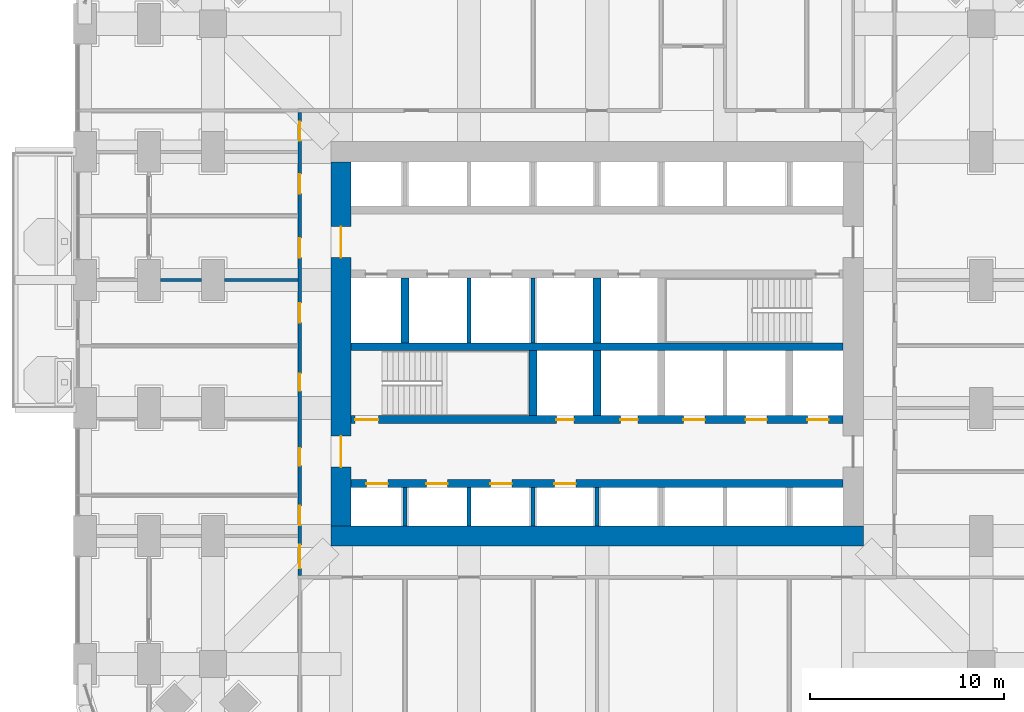
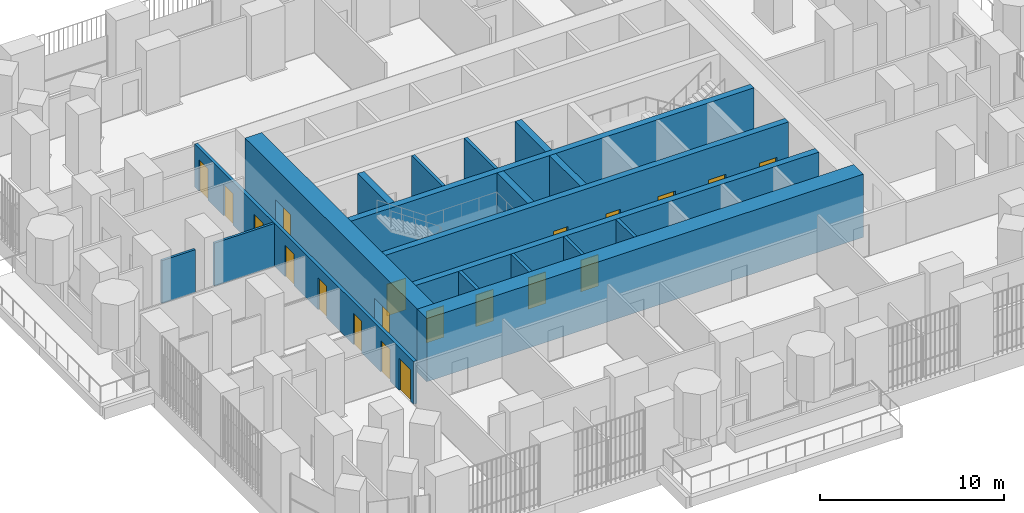
# One storey, part 18 of 26: 20 doors, 18 walls, 20 openings.
"""IFC4 building model written with IfcOpenShell, lengths in metres."""

from ifc_helpers import new_model, si_unit, direction, frame, frame_2d, origin, place, context, subcontext, project, spatial, rectangle, extrude, material, layer, layer_set, type_object, element, fill, save


model = new_model("IFC4")

# Units and contexts
model_context = context("Model", 3, precision=1e-05, world=origin(), true_north=direction((0.0, 1.0)))
body_context = subcontext(model_context, "Body", "Model", "MODEL_VIEW")
ifc_project = project(units=[si_unit("LENGTHUNIT", "METRE"), si_unit("AREAUNIT", "SQUARE_METRE"), si_unit("VOLUMEUNIT", "CUBIC_METRE"), si_unit("PLANEANGLEUNIT", "RADIAN"), si_unit("MASSUNIT", "GRAM", prefix="KILO")], contexts=[model_context])

# Site, building, storey
site_placement = place(None, origin())
site = spatial("IfcSite", under=ifc_project, at=site_placement, CompositionType="ELEMENT")
building_placement = place(site_placement, origin())
building = spatial("IfcBuilding", under=site, at=building_placement, Name="Cobogo Forest Laboratory Tower", CompositionType="ELEMENT")
storey_placement = place(building_placement, frame((0.0, 0.0, 33.89990234375)))
storey = spatial("IfcBuildingStorey", under=building, at=storey_placement, Name="L07", CompositionType="ELEMENT", Elevation=33.89990234375)

# Wall, openings, doors
ifc_material_1 = material(Name="Concrete HA-50 (C50/60)", Category="concrete")
ifc_layer_1 = layer(ifc_material_1, 0.39990234375)
ifc_layer_set_1 = layer_set([ifc_layer_1], Name="CI400 core inner wall 400")
wall_type_1 = type_object("IfcWallType", Name="CI400 core inner wall 400", PredefinedType="SHEAR", material=ifc_layer_set_1)
wall_1_placement = place(storey_placement, frame((13.72509765625, 15.89990234375, 0.0), z_axis=(0.0, 0.0, 1.0), x_axis=(1.0, 0.0, 0.0)))
wall_1 = element("IfcWall", 1, at=wall_1_placement, inside=storey, type_object=wall_type_1, Name="Core wall CI-15.9 L07", PredefinedType="SHEAR", context=body_context, shape_type="SweptSolid", body=[
    extrude(rectangle(XDim=25.349853515625, YDim=0.39990234375, at=frame_2d((12.6748046875, 0.0))), origin(), (0.0, 0.0, 1.0), 4.2001953125),
])
opening_1_placement = place(wall_1_placement, frame((0.78759765625, 0.0, 0.0)))
opening_1 = element("IfcOpeningElement", 2, at=opening_1_placement, cuts=wall_1, Name="Opening L07-LD-LA1", PredefinedType="OPENING", context=body_context, shape_type="SweptSolid", body=[
    extrude(rectangle(XDim=1.10009765625, YDim=2.10009765625, at=frame_2d((0.550048828125, 1.050048828125))), frame((0.0, 0.2099609375, 0.0), z_axis=(0.0, -1.0, 0.0), x_axis=(1.0, 0.0, 0.0)), (0.0, 0.0, 1.0), 0.419921875),
])
opening_2_placement = place(wall_1_placement, frame((3.875, 0.0, 0.0)))
opening_2 = element("IfcOpeningElement", 3, at=opening_2_placement, cuts=wall_1, Name="Opening L07-LD-LA2", PredefinedType="OPENING", context=body_context, shape_type="SweptSolid", body=[
    extrude(rectangle(XDim=1.10009765625, YDim=2.10009765625, at=frame_2d((0.550048828125, 1.050048828125))), frame((0.0, 0.2099609375, 0.0), z_axis=(0.0, -1.0, 0.0), x_axis=(1.0, 0.0, 0.0)), (0.0, 0.0, 1.0), 0.419921875),
])
opening_3_placement = place(wall_1_placement, frame((7.175048828125, 0.0, 0.0)))
opening_3 = element("IfcOpeningElement", 4, at=opening_3_placement, cuts=wall_1, Name="Opening L07-LD-LA3", PredefinedType="OPENING", context=body_context, shape_type="SweptSolid", body=[
    extrude(rectangle(XDim=1.10009765625, YDim=2.10009765625, at=frame_2d((0.550048828125, 1.050048828125))), frame((0.0, 0.2099609375, 0.0), z_axis=(0.0, -1.0, 0.0), x_axis=(1.0, 0.0, 0.0)), (0.0, 0.0, 1.0), 0.419921875),
])
opening_4_placement = place(wall_1_placement, frame((10.47509765625, 0.0, 0.0)))
opening_4 = element("IfcOpeningElement", 5, at=opening_4_placement, cuts=wall_1, Name="Opening L07-LD-LA4", PredefinedType="OPENING", context=body_context, shape_type="SweptSolid", body=[
    extrude(rectangle(XDim=1.10009765625, YDim=2.10009765625, at=frame_2d((0.550048828125, 1.050048828125))), frame((0.0, 0.2099609375, 0.0), z_axis=(0.0, -1.0, 0.0), x_axis=(1.0, 0.0, 0.0)), (0.0, 0.0, 1.0), 0.419921875),
])
ifc_material_2 = material(Name="Stainless steel lift door", Category="steel")
door_type_1 = type_object("IfcDoorType", Name="LD lift landing door 1100", OperationType="DOUBLE_DOOR_SLIDING", PredefinedType="DOOR", material=ifc_material_2)
door_1_placement = place(opening_1_placement, origin())
door_1 = element("IfcDoor", 6, at=door_1_placement, inside=storey, type_object=door_type_1, Name="Lift landing door LA1 L07", OperationType="DOUBLE_DOOR_SLIDING", OverallHeight=2.10009765625, OverallWidth=1.10009765625, PredefinedType="DOOR", context=body_context, shape_type="SweptSolid", body=[
    extrude(rectangle(XDim=1.10009765625, YDim=2.10009765625, at=frame_2d((0.550048828125, 1.050048828125))), frame((0.0, 0.02490234375, 0.0), z_axis=(0.0, -1.0, 0.0), x_axis=(1.0, 0.0, 0.0)), (0.0, 0.0, 1.0), 0.050048828125),
])
fill(opening_1, door_1)
door_2_placement = place(opening_2_placement, origin())
door_2 = element("IfcDoor", 7, at=door_2_placement, inside=storey, type_object=door_type_1, Name="Lift landing door LA2 L07", OperationType="DOUBLE_DOOR_SLIDING", OverallHeight=2.10009765625, OverallWidth=1.10009765625, PredefinedType="DOOR", context=body_context, shape_type="SweptSolid", body=[
    extrude(rectangle(XDim=1.10009765625, YDim=2.10009765625, at=frame_2d((0.550048828125, 1.050048828125))), frame((0.0, 0.02490234375, 0.0), z_axis=(0.0, -1.0, 0.0), x_axis=(1.0, 0.0, 0.0)), (0.0, 0.0, 1.0), 0.050048828125),
])
fill(opening_2, door_2)
door_3_placement = place(opening_3_placement, origin())
door_3 = element("IfcDoor", 8, at=door_3_placement, inside=storey, type_object=door_type_1, Name="Lift landing door LA3 L07", OperationType="DOUBLE_DOOR_SLIDING", OverallHeight=2.10009765625, OverallWidth=1.10009765625, PredefinedType="DOOR", context=body_context, shape_type="SweptSolid", body=[
    extrude(rectangle(XDim=1.10009765625, YDim=2.10009765625, at=frame_2d((0.550048828125, 1.050048828125))), frame((0.0, 0.02490234375, 0.0), z_axis=(0.0, -1.0, 0.0), x_axis=(1.0, 0.0, 0.0)), (0.0, 0.0, 1.0), 0.050048828125),
])
fill(opening_3, door_3)
door_4_placement = place(opening_4_placement, origin())
door_4 = element("IfcDoor", 9, at=door_4_placement, inside=storey, type_object=door_type_1, Name="Lift landing door LA4 L07", OperationType="DOUBLE_DOOR_SLIDING", OverallHeight=2.10009765625, OverallWidth=1.10009765625, PredefinedType="DOOR", context=body_context, shape_type="SweptSolid", body=[
    extrude(rectangle(XDim=1.10009765625, YDim=2.10009765625, at=frame_2d((0.550048828125, 1.050048828125))), frame((0.0, 0.02490234375, 0.0), z_axis=(0.0, -1.0, 0.0), x_axis=(1.0, 0.0, 0.0)), (0.0, 0.0, 1.0), 0.050048828125),
])
fill(opening_4, door_4)

wall_2_placement = place(storey_placement, frame((13.72509765625, 19.199951171875, 0.0), z_axis=(0.0, 0.0, 1.0), x_axis=(1.0, 0.0, 0.0)))
wall_2 = element("IfcWall", 10, at=wall_2_placement, inside=storey, type_object=wall_type_1, Name="Core wall CI-19.2 L07", PredefinedType="SHEAR", context=body_context, shape_type="SweptSolid", body=[
    extrude(rectangle(XDim=25.349853515625, YDim=0.39990234375, at=frame_2d((12.6748046875, 0.0))), origin(), (0.0, 0.0, 1.0), 4.2001953125),
])
opening_5_placement = place(wall_2_placement, frame((10.574951171875, 0.0, 0.0)))
opening_5 = element("IfcOpeningElement", 11, at=opening_5_placement, cuts=wall_2, Name="Opening L07-D23", PredefinedType="OPENING", context=body_context, shape_type="SweptSolid", body=[
    extrude(rectangle(XDim=0.89990234375, YDim=2.10009765625, at=frame_2d((0.449951171875, 1.050048828125))), frame((0.0, 0.2099609375, 0.0), z_axis=(0.0, -1.0, 0.0), x_axis=(1.0, 0.0, 0.0)), (0.0, 0.0, 1.0), 0.419921875),
])
opening_6_placement = place(wall_2_placement, frame((13.875, 0.0, 0.0)))
opening_6 = element("IfcOpeningElement", 12, at=opening_6_placement, cuts=wall_2, Name="Opening L07-D24", PredefinedType="OPENING", context=body_context, shape_type="SweptSolid", body=[
    extrude(rectangle(XDim=0.89990234375, YDim=2.10009765625, at=frame_2d((0.449951171875, 1.050048828125))), frame((0.0, 0.2099609375, 0.0), z_axis=(0.0, -1.0, 0.0), x_axis=(1.0, 0.0, 0.0)), (0.0, 0.0, 1.0), 0.419921875),
])
opening_7_placement = place(wall_2_placement, frame((0.199951171875, 0.0, 0.0)))
opening_7 = element("IfcOpeningElement", 13, at=opening_7_placement, cuts=wall_2, Name="Opening L07-D22", PredefinedType="OPENING", context=body_context, shape_type="SweptSolid", body=[
    extrude(rectangle(XDim=1.199951171875, YDim=2.10009765625, at=frame_2d((0.60009765625, 1.050048828125))), frame((0.0, 0.2099609375, 0.0), z_axis=(0.0, -1.0, 0.0), x_axis=(1.0, 0.0, 0.0)), (0.0, 0.0, 1.0), 0.419921875),
])
opening_8_placement = place(wall_2_placement, frame((23.512451171875, 0.0, 0.0)))
opening_8 = element("IfcOpeningElement", 14, at=opening_8_placement, cuts=wall_2, Name="Opening L07-LD-FL2", PredefinedType="OPENING", context=body_context, shape_type="SweptSolid", body=[
    extrude(rectangle(XDim=1.10009765625, YDim=2.10009765625, at=frame_2d((0.550048828125, 1.050048828125))), frame((0.0, 0.2099609375, 0.0), z_axis=(0.0, -1.0, 0.0), x_axis=(1.0, 0.0, 0.0)), (0.0, 0.0, 1.0), 0.419921875),
])
opening_9_placement = place(wall_2_placement, frame((17.125, 0.0, 0.0)))
opening_9 = element("IfcOpeningElement", 15, at=opening_9_placement, cuts=wall_2, Name="Opening L07-LD-LS1", PredefinedType="OPENING", context=body_context, shape_type="SweptSolid", body=[
    extrude(rectangle(XDim=1.10009765625, YDim=2.10009765625, at=frame_2d((0.550048828125, 1.050048828125))), frame((0.0, 0.2099609375, 0.0), z_axis=(0.0, -1.0, 0.0), x_axis=(1.0, 0.0, 0.0)), (0.0, 0.0, 1.0), 0.419921875),
])
opening_10_placement = place(wall_2_placement, frame((20.324951171875, 0.0, 0.0)))
opening_10 = element("IfcOpeningElement", 16, at=opening_10_placement, cuts=wall_2, Name="Opening L07-LD-LS2", PredefinedType="OPENING", context=body_context, shape_type="SweptSolid", body=[
    extrude(rectangle(XDim=1.10009765625, YDim=2.10009765625, at=frame_2d((0.550048828125, 1.050048828125))), frame((0.0, 0.2099609375, 0.0), z_axis=(0.0, -1.0, 0.0), x_axis=(1.0, 0.0, 0.0)), (0.0, 0.0, 1.0), 0.419921875),
])
ifc_material_3 = material(Name="Steel fire door", Category="steel")
door_type_2 = type_object("IfcDoorType", Name="DS1 protected stair door 1200 EI2 60", OperationType="SINGLE_SWING_LEFT", PredefinedType="DOOR", material=ifc_material_3)
door_5_placement = place(opening_7_placement, origin())
door_5 = element("IfcDoor", 17, at=door_5_placement, inside=storey, type_object=door_type_2, Name="Door L07-ST1", OperationType="SINGLE_SWING_LEFT", OverallHeight=2.10009765625, OverallWidth=1.199951171875, PredefinedType="DOOR", context=body_context, shape_type="SweptSolid", body=[
    extrude(rectangle(XDim=1.199951171875, YDim=2.10009765625, at=frame_2d((0.60009765625, 1.050048828125))), frame((0.0, 0.02490234375, 0.0), z_axis=(0.0, -1.0, 0.0), x_axis=(1.0, 0.0, 0.0)), (0.0, 0.0, 1.0), 0.050048828125),
])
fill(opening_7, door_5)
door_type_3 = type_object("IfcDoorType", Name="FD4 riser access door 900 EI2 60", OperationType="SINGLE_SWING_LEFT", PredefinedType="DOOR", material=ifc_material_3)
door_6_placement = place(opening_5_placement, origin())
door_6 = element("IfcDoor", 18, at=door_6_placement, inside=storey, type_object=door_type_3, Name="Door L07-R1", OperationType="SINGLE_SWING_LEFT", OverallHeight=2.10009765625, OverallWidth=0.89990234375, PredefinedType="DOOR", context=body_context, shape_type="SweptSolid", body=[
    extrude(rectangle(XDim=0.89990234375, YDim=2.10009765625, at=frame_2d((0.449951171875, 1.050048828125))), frame((0.0, 0.02490234375, 0.0), z_axis=(0.0, -1.0, 0.0), x_axis=(1.0, 0.0, 0.0)), (0.0, 0.0, 1.0), 0.050048828125),
])
fill(opening_5, door_6)
door_7_placement = place(opening_6_placement, origin())
door_7 = element("IfcDoor", 19, at=door_7_placement, inside=storey, type_object=door_type_3, Name="Door L07-R2", OperationType="SINGLE_SWING_RIGHT", OverallHeight=2.10009765625, OverallWidth=0.89990234375, PredefinedType="DOOR", context=body_context, shape_type="SweptSolid", body=[
    extrude(rectangle(XDim=0.89990234375, YDim=2.10009765625, at=frame_2d((0.449951171875, 1.050048828125))), frame((0.0, 0.02490234375, 0.0), z_axis=(0.0, -1.0, 0.0), x_axis=(1.0, 0.0, 0.0)), (0.0, 0.0, 1.0), 0.050048828125),
])
fill(opening_6, door_7)
door_8_placement = place(opening_8_placement, origin())
door_8 = element("IfcDoor", 20, at=door_8_placement, inside=storey, type_object=door_type_1, Name="Lift landing door FL2 L07", OperationType="DOUBLE_DOOR_SLIDING", OverallHeight=2.10009765625, OverallWidth=1.10009765625, PredefinedType="DOOR", context=body_context, shape_type="SweptSolid", body=[
    extrude(rectangle(XDim=1.10009765625, YDim=2.10009765625, at=frame_2d((0.550048828125, 1.050048828125))), frame((0.0, 0.02490234375, 0.0), z_axis=(0.0, -1.0, 0.0), x_axis=(1.0, 0.0, 0.0)), (0.0, 0.0, 1.0), 0.050048828125),
])
fill(opening_8, door_8)
door_9_placement = place(opening_9_placement, origin())
door_9 = element("IfcDoor", 21, at=door_9_placement, inside=storey, type_object=door_type_1, Name="Lift landing door LS1 L07", OperationType="DOUBLE_DOOR_SLIDING", OverallHeight=2.10009765625, OverallWidth=1.10009765625, PredefinedType="DOOR", context=body_context, shape_type="SweptSolid", body=[
    extrude(rectangle(XDim=1.10009765625, YDim=2.10009765625, at=frame_2d((0.550048828125, 1.050048828125))), frame((0.0, 0.02490234375, 0.0), z_axis=(0.0, -1.0, 0.0), x_axis=(1.0, 0.0, 0.0)), (0.0, 0.0, 1.0), 0.050048828125),
])
fill(opening_9, door_9)
door_10_placement = place(opening_10_placement, origin())
door_10 = element("IfcDoor", 22, at=door_10_placement, inside=storey, type_object=door_type_1, Name="Lift landing door LS2 L07", OperationType="DOUBLE_DOOR_SLIDING", OverallHeight=2.10009765625, OverallWidth=1.10009765625, PredefinedType="DOOR", context=body_context, shape_type="SweptSolid", body=[
    extrude(rectangle(XDim=1.10009765625, YDim=2.10009765625, at=frame_2d((0.550048828125, 1.050048828125))), frame((0.0, 0.02490234375, 0.0), z_axis=(0.0, -1.0, 0.0), x_axis=(1.0, 0.0, 0.0)), (0.0, 0.0, 1.0), 0.050048828125),
])
fill(opening_10, door_10)

# Walls
wall_3_placement = place(storey_placement, frame((13.72509765625, 22.949951171875, 0.0), z_axis=(0.0, 0.0, 1.0), x_axis=(1.0, 0.0, 0.0)))
element("IfcWall", 23, at=wall_3_placement, inside=storey, type_object=wall_type_1, Name="Core wall CI-22.95 L07", PredefinedType="SHEAR", context=body_context, shape_type="SweptSolid", body=[
    extrude(rectangle(XDim=25.349853515625, YDim=0.39990234375, at=frame_2d((12.6748046875, 0.0))), origin(), (0.0, 0.0, 1.0), 4.2001953125),
])
for number, where, z_axis, x_axis, name in (
    (24, (23.10009765625, 19.39990234375, 0.0), (0.0, 0.0, 1.0), (0.0, 1.0, 0.0), "Core wall CX-23.1 L07"),
    (25, (26.39990234375, 19.39990234375, 0.0), (0.0, 0.0, 1.0), (0.0, 1.0, 0.0), "Core wall CX-26.4S L07"),
    (26, (16.5, 23.14990234375, 0.0), (0.0, 0.0, 1.0), (0.0, 1.0, 0.0), "Core wall CX-16.5 L07"),
    (27, (26.39990234375, 23.14990234375, 0.0), (0.0, 0.0, 1.0), (0.0, 1.0, 0.0), "Core wall CX-26.4N L07"),
):
    element("IfcWall", number, at=place(storey_placement, frame(where, z_axis=z_axis, x_axis=x_axis)), inside=storey, type_object=wall_type_1, Name=name, PredefinedType="SHEAR", context=body_context, shape_type="SweptSolid", body=[
        extrude(rectangle(XDim=3.35009765625, YDim=0.39990234375, at=frame_2d((1.675048828125, 0.0))), origin(), (0.0, 0.0, 1.0), 4.2001953125),
    ])
ifc_layer_2 = layer(ifc_material_1, 1.050048828125)
ifc_layer_set_2 = layer_set([ifc_layer_2], Name="CW1050 core outer wall 1050")
wall_type_2 = type_object("IfcWallType", Name="CW1050 core outer wall 1050", PredefinedType="SHEAR", material=ifc_layer_set_2)
wall_4_placement = place(storey_placement, frame((12.675048828125, 13.199951171875, 0.0), z_axis=(0.0, 0.0, 1.0), x_axis=(1.0, 0.0, 0.0)))
element("IfcWall", 28, at=wall_4_placement, inside=storey, type_object=wall_type_2, Name="Core wall CO-S L07", PredefinedType="SHEAR", context=body_context, shape_type="SweptSolid", body=[
    extrude(rectangle(XDim=27.449951171875, YDim=1.050048828125, at=frame_2d((13.72509765625, 0.0))), origin(), (0.0, 0.0, 1.0), 4.2001953125),
])

# Wall, openings, doors
wall_5_placement = place(storey_placement, frame((13.199951171875, 32.47509765625, 0.0), z_axis=(0.0, 0.0, 1.0), x_axis=(0.0, -1.0, 0.0)))
wall_5 = element("IfcWall", 29, at=wall_5_placement, inside=storey, type_object=wall_type_2, Name="Core wall CO-W L07", PredefinedType="SHEAR", context=body_context, shape_type="SweptSolid", body=[
    extrude(rectangle(XDim=18.75, YDim=1.050048828125, at=frame_2d((9.375, 0.0))), origin(), (0.0, 0.0, 1.0), 4.2001953125),
])
opening_11_placement = place(wall_5_placement, frame((14.125, 0.0, 0.0)))
opening_11 = element("IfcOpeningElement", 30, at=opening_11_placement, cuts=wall_5, Name="Opening L07-D18", PredefinedType="OPENING", context=body_context, shape_type="SweptSolid", body=[
    extrude(rectangle(XDim=1.60009765625, YDim=2.10009765625, at=frame_2d((0.800048828125, 1.050048828125))), frame((0.0, 0.534912109375, 0.0), z_axis=(0.0, -1.0, 0.0), x_axis=(1.0, 0.0, 0.0)), (0.0, 0.0, 1.0), 1.070068359375),
])
opening_12_placement = place(wall_5_placement, frame((3.324951171875, 0.0, 0.0)))
opening_12 = element("IfcOpeningElement", 31, at=opening_12_placement, cuts=wall_5, Name="Opening L07-D34", PredefinedType="OPENING", context=body_context, shape_type="SweptSolid", body=[
    extrude(rectangle(XDim=1.60009765625, YDim=2.10009765625, at=frame_2d((0.800048828125, 1.050048828125))), frame((0.0, 0.534912109375, 0.0), z_axis=(0.0, -1.0, 0.0), x_axis=(1.0, 0.0, 0.0)), (0.0, 0.0, 1.0), 1.070068359375),
])
door_type_4 = type_object("IfcDoorType", Name="DS2 protected lobby door pair 1600 EI2 60", OperationType="DOUBLE_DOOR_DOUBLE_SWING", PredefinedType="DOOR", material=ifc_material_3)
door_11_placement = place(opening_11_placement, origin())
door_11 = element("IfcDoor", 32, at=door_11_placement, inside=storey, type_object=door_type_4, Name="Door L07-CO-W-S", OperationType="DOUBLE_DOOR_DOUBLE_SWING", OverallHeight=2.10009765625, OverallWidth=1.60009765625, PredefinedType="DOOR", context=body_context, shape_type="SweptSolid", body=[
    extrude(rectangle(XDim=1.60009765625, YDim=2.10009765625, at=frame_2d((0.800048828125, 1.050048828125))), frame((0.0, 0.02490234375, 0.0), z_axis=(0.0, -1.0, 0.0), x_axis=(1.0, 0.0, 0.0)), (0.0, 0.0, 1.0), 0.050048828125),
])
fill(opening_11, door_11)
door_12_placement = place(opening_12_placement, origin())
door_12 = element("IfcDoor", 33, at=door_12_placement, inside=storey, type_object=door_type_4, Name="Door L07-CO-W-N", OperationType="DOUBLE_DOOR_DOUBLE_SWING", OverallHeight=2.10009765625, OverallWidth=1.60009765625, PredefinedType="DOOR", context=body_context, shape_type="SweptSolid", body=[
    extrude(rectangle(XDim=1.60009765625, YDim=2.10009765625, at=frame_2d((0.800048828125, 1.050048828125))), frame((0.0, 0.02490234375, 0.0), z_axis=(0.0, -1.0, 0.0), x_axis=(1.0, 0.0, 0.0)), (0.0, 0.0, 1.0), 0.050048828125),
])
fill(opening_12, door_12)

# Walls
ifc_material_4 = material(Name="Gypsum board on steel studs", Category="steel")
ifc_layer_3 = layer(ifc_material_4, 0.14990234375)
ifc_layer_set_3 = layer_set([ifc_layer_3], Name="PT1 laboratory partition 150")
wall_type_3 = type_object("IfcWallType", Name="PT1 laboratory partition 150", PredefinedType="PARTITIONING", material=ifc_layer_set_3)
wall_6_placement = place(storey_placement, frame((3.89990234375, 26.39990234375, 0.0), z_axis=(0.0, 0.0, 1.0), x_axis=(1.0, 0.0, 0.0)))
element("IfcWall", 34, at=wall_6_placement, inside=storey, type_object=wall_type_3, Name="Partition CUT-W26.4-2 L07", PredefinedType="PARTITIONING", context=body_context, shape_type="SweptSolid", body=[
    extrude(rectangle(XDim=2.10009765625, YDim=0.14990234375, at=frame_2d((1.050048828125, 0.0))), origin(), (0.0, 0.0, 1.0), 2.85009765625),
])
wall_7_placement = place(storey_placement, frame((7.199951171875, 26.39990234375, 0.0), z_axis=(0.0, 0.0, 1.0), x_axis=(1.0, 0.0, 0.0)))
element("IfcWall", 35, at=wall_7_placement, inside=storey, type_object=wall_type_3, Name="Partition CUT-W26.4-3 L07", PredefinedType="PARTITIONING", context=body_context, shape_type="SweptSolid", body=[
    extrude(rectangle(XDim=3.775146484375, YDim=0.14990234375, at=frame_2d((1.8876953125, 0.0))), origin(), (0.0, 0.0, 1.0), 2.85009765625),
])

# Wall, openings, doors
ifc_layer_4 = layer(ifc_material_4, 0.199951171875)
ifc_layer_set_4 = layer_set([ifc_layer_4], Name="PT2 fire-rated corridor partition 200")
wall_type_4 = type_object("IfcWallType", Name="PT2 fire-rated corridor partition 200", PredefinedType="PARTITIONING", material=ifc_layer_set_4)
wall_8_placement = place(storey_placement, frame((11.074951171875, 11.175048828125, 0.0), z_axis=(0.0, 0.0, 1.0), x_axis=(0.0, 1.0, 0.0)))
wall_8 = element("IfcWall", 36, at=wall_8_placement, inside=storey, type_object=wall_type_4, Name="Partition CORR-W L07", PredefinedType="PARTITIONING", context=body_context, shape_type="SweptSolid", body=[
    extrude(rectangle(XDim=23.849853515625, YDim=0.199951171875, at=frame_2d((11.9248046875, 0.0))), origin(), (0.0, 0.0, 1.0), 2.85009765625),
])
opening_13_placement = place(wall_8_placement, frame((0.362548828125, 0.0, 0.0)))
opening_13 = element("IfcOpeningElement", 37, at=opening_13_placement, cuts=wall_8, Name="Opening L07-D13", PredefinedType="OPENING", context=body_context, shape_type="SweptSolid", body=[
    extrude(rectangle(XDim=1.199951171875, YDim=2.10009765625, at=frame_2d((0.60009765625, 1.050048828125))), frame((0.0, 0.10986328125, 0.0), z_axis=(0.0, -1.0, 0.0), x_axis=(1.0, 0.0, 0.0)), (0.0, 0.0, 1.0), 0.219970703125),
])
opening_14_placement = place(wall_8_placement, frame((2.574951171875, 0.0, 0.0)))
opening_14 = element("IfcOpeningElement", 38, at=opening_14_placement, cuts=wall_8, Name="Opening L07-D15", PredefinedType="OPENING", context=body_context, shape_type="SweptSolid", body=[
    extrude(rectangle(XDim=1.0, YDim=2.10009765625, at=frame_2d((0.5, 1.050048828125))), frame((0.0, 0.10986328125, 0.0), z_axis=(0.0, -1.0, 0.0), x_axis=(1.0, 0.0, 0.0)), (0.0, 0.0, 1.0), 0.219970703125),
])
opening_15_placement = place(wall_8_placement, frame((5.64990234375, 0.0, 0.0)))
opening_15 = element("IfcOpeningElement", 39, at=opening_15_placement, cuts=wall_8, Name="Opening L07-D17", PredefinedType="OPENING", context=body_context, shape_type="SweptSolid", body=[
    extrude(rectangle(XDim=0.89990234375, YDim=2.10009765625, at=frame_2d((0.449951171875, 1.050048828125))), frame((0.0, 0.10986328125, 0.0), z_axis=(0.0, -1.0, 0.0), x_axis=(1.0, 0.0, 0.0)), (0.0, 0.0, 1.0), 0.219970703125),
])
opening_16_placement = place(wall_8_placement, frame((9.5, 0.0, 0.0)))
opening_16 = element("IfcOpeningElement", 40, at=opening_16_placement, cuts=wall_8, Name="Opening L07-D25", PredefinedType="OPENING", context=body_context, shape_type="SweptSolid", body=[
    extrude(rectangle(XDim=0.89990234375, YDim=2.10009765625, at=frame_2d((0.449951171875, 1.050048828125))), frame((0.0, 0.10986328125, 0.0), z_axis=(0.0, -1.0, 0.0), x_axis=(1.0, 0.0, 0.0)), (0.0, 0.0, 1.0), 0.219970703125),
])
opening_17_placement = place(wall_8_placement, frame((13.02490234375, 0.0, 0.0)))
opening_17 = element("IfcOpeningElement", 41, at=opening_17_placement, cuts=wall_8, Name="Opening L07-D29", PredefinedType="OPENING", context=body_context, shape_type="SweptSolid", body=[
    extrude(rectangle(XDim=1.0, YDim=2.10009765625, at=frame_2d((0.5, 1.050048828125))), frame((0.0, 0.10986328125, 0.0), z_axis=(0.0, -1.0, 0.0), x_axis=(1.0, 0.0, 0.0)), (0.0, 0.0, 1.0), 0.219970703125),
])
opening_18_placement = place(wall_8_placement, frame((16.375, 0.0, 0.0)))
opening_18 = element("IfcOpeningElement", 42, at=opening_18_placement, cuts=wall_8, Name="Opening L07-D32", PredefinedType="OPENING", context=body_context, shape_type="SweptSolid", body=[
    extrude(rectangle(XDim=1.0, YDim=2.10009765625, at=frame_2d((0.5, 1.050048828125))), frame((0.0, 0.10986328125, 0.0), z_axis=(0.0, -1.0, 0.0), x_axis=(1.0, 0.0, 0.0)), (0.0, 0.0, 1.0), 0.219970703125),
])
opening_19_placement = place(wall_8_placement, frame((19.675048828125, 0.0, 0.0)))
opening_19 = element("IfcOpeningElement", 43, at=opening_19_placement, cuts=wall_8, Name="Opening L07-D38", PredefinedType="OPENING", context=body_context, shape_type="SweptSolid", body=[
    extrude(rectangle(XDim=1.0, YDim=2.10009765625, at=frame_2d((0.5, 1.050048828125))), frame((0.0, 0.10986328125, 0.0), z_axis=(0.0, -1.0, 0.0), x_axis=(1.0, 0.0, 0.0)), (0.0, 0.0, 1.0), 0.219970703125),
])
opening_20_placement = place(wall_8_placement, frame((22.387451171875, 0.0, 0.0)))
opening_20 = element("IfcOpeningElement", 44, at=opening_20_placement, cuts=wall_8, Name="Opening L07-D39", PredefinedType="OPENING", context=body_context, shape_type="SweptSolid", body=[
    extrude(rectangle(XDim=1.0, YDim=2.10009765625, at=frame_2d((0.5, 1.050048828125))), frame((0.0, 0.10986328125, 0.0), z_axis=(0.0, -1.0, 0.0), x_axis=(1.0, 0.0, 0.0)), (0.0, 0.0, 1.0), 0.219970703125),
])
ifc_material_5 = material(Name="Timber door", Category="wood")
door_type_5 = type_object("IfcDoorType", Name="D2 laboratory door 1200 unequal pair", OperationType="DOUBLE_DOOR_SINGLE_SWING", PredefinedType="DOOR", material=ifc_material_5)
door_13_placement = place(opening_13_placement, origin())
door_13 = element("IfcDoor", 45, at=door_13_placement, inside=storey, type_object=door_type_5, Name="Door L07-W1", OperationType="DOUBLE_DOOR_SINGLE_SWING", OverallHeight=2.10009765625, OverallWidth=1.199951171875, PredefinedType="DOOR", context=body_context, shape_type="SweptSolid", body=[
    extrude(rectangle(XDim=1.199951171875, YDim=2.10009765625, at=frame_2d((0.60009765625, 1.050048828125))), frame((0.0, 0.02490234375, 0.0), z_axis=(0.0, -1.0, 0.0), x_axis=(1.0, 0.0, 0.0)), (0.0, 0.0, 1.0), 0.050048828125),
])
fill(opening_13, door_13)
ifc_material_6 = material(Name="Timber fire door", Category="wood")
door_type_6 = type_object("IfcDoorType", Name="FD2 fire door 1000 EI2 30", OperationType="SINGLE_SWING_LEFT", PredefinedType="DOOR", material=ifc_material_6)
door_14_placement = place(opening_17_placement, origin())
door_14 = element("IfcDoor", 46, at=door_14_placement, inside=storey, type_object=door_type_6, Name="Door L07-SHW", OperationType="SINGLE_SWING_RIGHT", OverallHeight=2.10009765625, OverallWidth=1.0, PredefinedType="DOOR", context=body_context, shape_type="SweptSolid", body=[
    extrude(rectangle(XDim=1.0, YDim=2.10009765625, at=frame_2d((0.5, 1.050048828125))), frame((0.0, 0.02490234375, 0.0), z_axis=(0.0, -1.0, 0.0), x_axis=(1.0, 0.0, 0.0)), (0.0, 0.0, 1.0), 0.050048828125),
])
fill(opening_17, door_14)
door_15_placement = place(opening_18_placement, origin())
door_15 = element("IfcDoor", 47, at=door_15_placement, inside=storey, type_object=door_type_6, Name="Door L07-W3", OperationType="SINGLE_SWING_RIGHT", OverallHeight=2.10009765625, OverallWidth=1.0, PredefinedType="DOOR", context=body_context, shape_type="SweptSolid", body=[
    extrude(rectangle(XDim=1.0, YDim=2.10009765625, at=frame_2d((0.5, 1.050048828125))), frame((0.0, 0.02490234375, 0.0), z_axis=(0.0, -1.0, 0.0), x_axis=(1.0, 0.0, 0.0)), (0.0, 0.0, 1.0), 0.050048828125),
])
fill(opening_18, door_15)
door_16_placement = place(opening_19_placement, origin())
door_16 = element("IfcDoor", 48, at=door_16_placement, inside=storey, type_object=door_type_6, Name="Door L07-W4", OperationType="SINGLE_SWING_RIGHT", OverallHeight=2.10009765625, OverallWidth=1.0, PredefinedType="DOOR", context=body_context, shape_type="SweptSolid", body=[
    extrude(rectangle(XDim=1.0, YDim=2.10009765625, at=frame_2d((0.5, 1.050048828125))), frame((0.0, 0.02490234375, 0.0), z_axis=(0.0, -1.0, 0.0), x_axis=(1.0, 0.0, 0.0)), (0.0, 0.0, 1.0), 0.050048828125),
])
fill(opening_19, door_16)
door_17_placement = place(opening_20_placement, origin())
door_17 = element("IfcDoor", 49, at=door_17_placement, inside=storey, type_object=door_type_6, Name="Door L07-W5", OperationType="SINGLE_SWING_RIGHT", OverallHeight=2.10009765625, OverallWidth=1.0, PredefinedType="DOOR", context=body_context, shape_type="SweptSolid", body=[
    extrude(rectangle(XDim=1.0, YDim=2.10009765625, at=frame_2d((0.5, 1.050048828125))), frame((0.0, 0.02490234375, 0.0), z_axis=(0.0, -1.0, 0.0), x_axis=(1.0, 0.0, 0.0)), (0.0, 0.0, 1.0), 0.050048828125),
])
fill(opening_20, door_17)
door_type_7 = type_object("IfcDoorType", Name="FD3 toilet fire door 900 EI2 30", OperationType="SINGLE_SWING_LEFT", PredefinedType="DOOR", material=ifc_material_6)
door_18_placement = place(opening_15_placement, origin())
door_18 = element("IfcDoor", 50, at=door_18_placement, inside=storey, type_object=door_type_7, Name="Door L07-WCF", OperationType="SINGLE_SWING_LEFT", OverallHeight=2.10009765625, OverallWidth=0.89990234375, PredefinedType="DOOR", context=body_context, shape_type="SweptSolid", body=[
    extrude(rectangle(XDim=0.89990234375, YDim=2.10009765625, at=frame_2d((0.449951171875, 1.050048828125))), frame((0.0, 0.02490234375, 0.0), z_axis=(0.0, -1.0, 0.0), x_axis=(1.0, 0.0, 0.0)), (0.0, 0.0, 1.0), 0.050048828125),
])
fill(opening_15, door_18)
door_19_placement = place(opening_16_placement, origin())
door_19 = element("IfcDoor", 51, at=door_19_placement, inside=storey, type_object=door_type_7, Name="Door L07-WCM", OperationType="SINGLE_SWING_LEFT", OverallHeight=2.10009765625, OverallWidth=0.89990234375, PredefinedType="DOOR", context=body_context, shape_type="SweptSolid", body=[
    extrude(rectangle(XDim=0.89990234375, YDim=2.10009765625, at=frame_2d((0.449951171875, 1.050048828125))), frame((0.0, 0.02490234375, 0.0), z_axis=(0.0, -1.0, 0.0), x_axis=(1.0, 0.0, 0.0)), (0.0, 0.0, 1.0), 0.050048828125),
])
fill(opening_16, door_19)
door_type_8 = type_object("IfcDoorType", Name="FDA1 accessible toilet fire door 1000 EI2 30", OperationType="SINGLE_SWING_RIGHT", PredefinedType="DOOR", material=ifc_material_6)
door_20_placement = place(opening_14_placement, origin())
door_20 = element("IfcDoor", 52, at=door_20_placement, inside=storey, type_object=door_type_8, Name="Door L07-WCA", OperationType="SINGLE_SWING_LEFT", OverallHeight=2.10009765625, OverallWidth=1.0, PredefinedType="DOOR", context=body_context, shape_type="SweptSolid", body=[
    extrude(rectangle(XDim=1.0, YDim=2.10009765625, at=frame_2d((0.5, 1.050048828125))), frame((0.0, 0.02490234375, 0.0), z_axis=(0.0, -1.0, 0.0), x_axis=(1.0, 0.0, 0.0)), (0.0, 0.0, 1.0), 0.050048828125),
])
fill(opening_14, door_20)

# Walls
ifc_material_7 = material(Name="Concrete block", Category="concrete")
ifc_layer_5 = layer(ifc_material_7, 0.199951171875)
ifc_layer_set_5 = layer_set([ifc_layer_5], Name="SW200 lift shaft separator 200")
wall_type_5 = type_object("IfcWallType", Name="SW200 lift shaft separator 200", PredefinedType="PARTITIONING", material=ifc_layer_set_5)
for number, where, z_axis, x_axis, name in (
    (53, (16.5, 13.72509765625, 0.0), (0.0, 0.0, 1.0), (0.0, 1.0, 0.0), "Core wall SEP-S1 L07"),
    (54, (19.800048828125, 13.72509765625, 0.0), (0.0, 0.0, 1.0), (0.0, 1.0, 0.0), "Core wall SEP-S2 L07"),
    (55, (23.10009765625, 13.72509765625, 0.0), (0.0, 0.0, 1.0), (0.0, 1.0, 0.0), "Core wall SEP-S3 L07"),
    (56, (26.39990234375, 13.72509765625, 0.0), (0.0, 0.0, 1.0), (0.0, 1.0, 0.0), "Core wall SEP-S4 L07"),
):
    element("IfcWall", number, at=place(storey_placement, frame(where, z_axis=z_axis, x_axis=x_axis)), inside=storey, type_object=wall_type_5, Name=name, PredefinedType="PARTITIONING", context=body_context, shape_type="SweptSolid", body=[
        extrude(rectangle(XDim=1.974853515625, YDim=0.199951171875, at=frame_2d((0.9873046875, 0.0))), origin(), (0.0, 0.0, 1.0), 4.2001953125),
    ])
for number, where, z_axis, x_axis, name in (
    (57, (19.800048828125, 23.14990234375, 0.0), (0.0, 0.0, 1.0), (0.0, 1.0, 0.0), "Core wall SEP-M19.8 L07"),
    (58, (23.10009765625, 23.14990234375, 0.0), (0.0, 0.0, 1.0), (0.0, 1.0, 0.0), "Core wall SEP-M23.1 L07"),
):
    element("IfcWall", number, at=place(storey_placement, frame(where, z_axis=z_axis, x_axis=x_axis)), inside=storey, type_object=wall_type_5, Name=name, PredefinedType="PARTITIONING", context=body_context, shape_type="SweptSolid", body=[
        extrude(rectangle(XDim=3.35009765625, YDim=0.199951171875, at=frame_2d((1.675048828125, 0.0))), origin(), (0.0, 0.0, 1.0), 4.2001953125),
    ])

save(model, "model.ifc")
